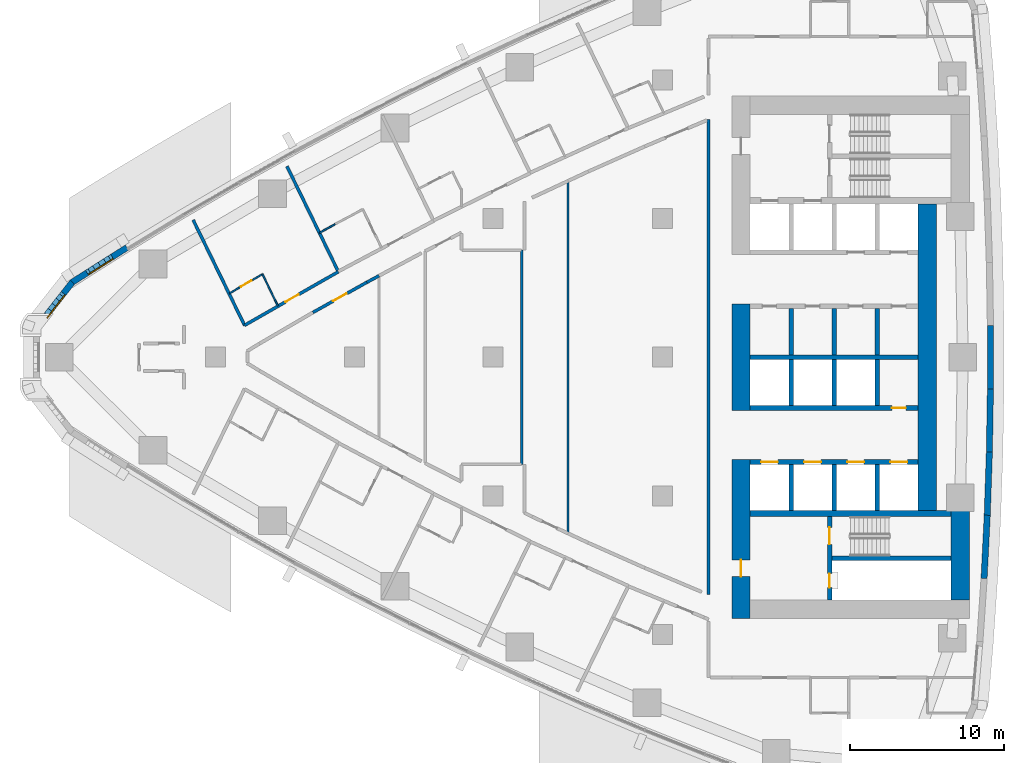
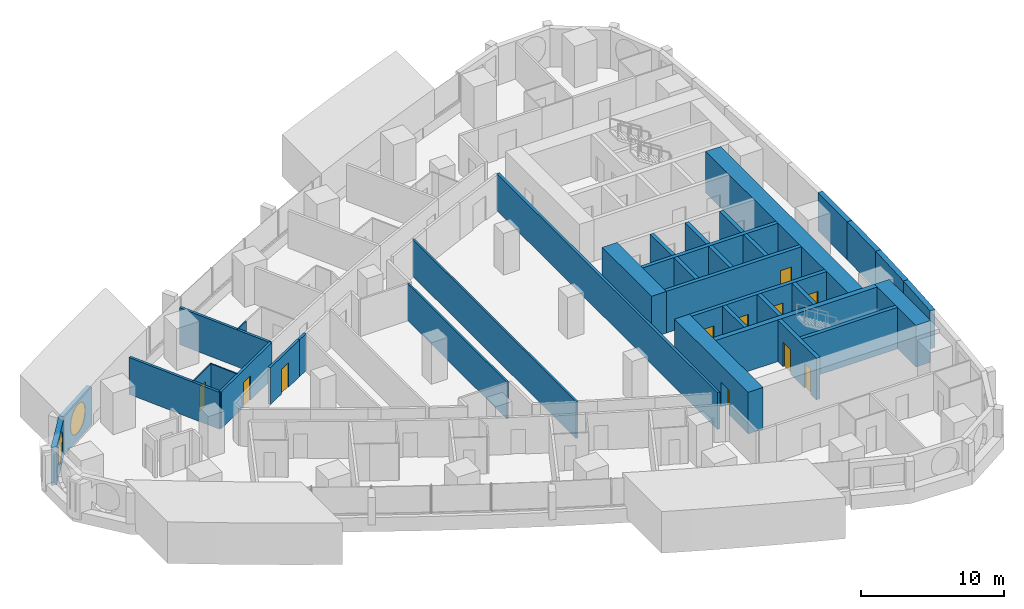
# One storey, part 11 of 19: 36 walls, 11 doors, 2 windows, 13 openings.
"""IFC4 building model written with IfcOpenShell, lengths in metres."""

from ifc_helpers import new_model, si_unit, direction, frame, frame_2d, origin, place, context, subcontext, project, spatial, polyline, rectangle, outline, extrude, material, layer, layer_set, type_object, element, fill, save


model = new_model("IFC4")

# Units and contexts
model_context = context("Model", 3, precision=1e-05, world=origin(), true_north=direction((0.0, 1.0)))
body_context = subcontext(model_context, "Body", "Model", "MODEL_VIEW")
ifc_project = project(units=[si_unit("LENGTHUNIT", "METRE"), si_unit("AREAUNIT", "SQUARE_METRE"), si_unit("VOLUMEUNIT", "CUBIC_METRE"), si_unit("PLANEANGLEUNIT", "RADIAN"), si_unit("MASSUNIT", "GRAM", prefix="KILO")], contexts=[model_context])

# Site, building, storey
site_placement = place(None, origin())
site = spatial("IfcSite", under=ifc_project, at=site_placement, CompositionType="ELEMENT")
building_placement = place(site_placement, origin())
building = spatial("IfcBuilding", under=site, at=building_placement, Name="Ostrand Prow Hotel Tower", CompositionType="ELEMENT")
storey_placement = place(building_placement, frame((0.0, 0.0, 71.550048828125)))
storey = spatial("IfcBuildingStorey", under=building, at=storey_placement, Name="L16", CompositionType="ELEMENT", Elevation=71.550048828125)

# Wall
ifc_material_1 = material(Name="Concrete C80/95", Category="concrete")
ifc_layer_1 = layer(ifc_material_1, 1.199951171875)
ifc_layer_set_1 = layer_set([ifc_layer_1], Name="Concrete C80/95")
wall_type_1 = type_object("IfcWallType", Name="Core wall 1200 C80/95", PredefinedType="SHEAR", material=ifc_layer_set_1)
wall_1_placement = place(storey_placement, frame((50.10009765625, -3.449951171875, 0.0), z_axis=(0.0, 0.0, 1.0), x_axis=(0.0, 1.0, 0.0)))
element("IfcWall", 1, at=wall_1_placement, inside=storey, type_object=wall_type_1, Name="Core wall CW-W-C", PredefinedType="SHEAR", context=body_context, shape_type="SweptSolid", body=[
    extrude(rectangle(XDim=6.89990234375, YDim=1.199951171875, at=frame_2d((3.449951171875, 0.0))), origin(), (0.0, 0.0, 1.0), 3.550048828125),
])

# Wall, opening, door
wall_2_placement = place(storey_placement, frame((50.10009765625, -16.949951171875, 0.0), z_axis=(0.0, 0.0, 1.0), x_axis=(0.0, 1.0, 0.0)))
wall_2 = element("IfcWall", 2, at=wall_2_placement, inside=storey, type_object=wall_type_1, Name="Core wall CW-W-S", PredefinedType="SHEAR", context=body_context, shape_type="SweptSolid", body=[
    extrude(rectangle(XDim=10.300048828125, YDim=1.199951171875, at=frame_2d((5.14990234375, 0.0))), origin(), (0.0, 0.0, 1.0), 3.550048828125),
])
opening_1_placement = place(wall_2_placement, frame((2.699951171875, 0.0, 0.0)))
opening_1 = element("IfcOpeningElement", 3, at=opening_1_placement, cuts=wall_2, Name="Opening FD1", PredefinedType="OPENING", context=body_context, shape_type="SweptSolid", body=[
    extrude(rectangle(XDim=1.10009765625, YDim=2.10009765625, at=frame_2d((0.550048828125, 1.050048828125))), frame((0.0, 0.60986328125, 0.0), z_axis=(0.0, -1.0, 0.0), x_axis=(1.0, 0.0, 0.0)), (0.0, 0.0, 1.0), 1.219970703125),
])
ifc_material_2 = material(Name="Steel fire door", Category="steel")
door_type_1 = type_object("IfcDoorType", Name="Fire door 1100 EI120", OperationType="SINGLE_SWING_RIGHT", PredefinedType="DOOR", material=ifc_material_2)
door_1_placement = place(opening_1_placement, origin())
door_1 = element("IfcDoor", 4, at=door_1_placement, inside=storey, type_object=door_type_1, Name="FIRE DOOR", OperationType="SINGLE_SWING_RIGHT", OverallHeight=2.10009765625, OverallWidth=1.10009765625, PredefinedType="DOOR", context=body_context, shape_type="SweptSolid", body=[
    extrude(rectangle(XDim=1.10009765625, YDim=2.10009765625, at=frame_2d((0.550048828125, 1.050048828125))), frame((0.0, 0.02490234375, 0.0), z_axis=(0.0, -1.0, 0.0), x_axis=(1.0, 0.0, 0.0)), (0.0, 0.0, 1.0), 0.050048828125),
])
fill(opening_1, door_1)

# Walls
wall_3_placement = place(storey_placement, frame((64.320068359375, -15.75, 0.0), z_axis=(0.0, 0.0, 1.0), x_axis=(0.0, 1.0, 0.0)))
element("IfcWall", 5, at=wall_3_placement, inside=storey, type_object=wall_type_1, Name="Core wall CW-E-S", PredefinedType="SHEAR", context=body_context, shape_type="SweptSolid", body=[
    extrude(rectangle(XDim=5.800048828125, YDim=1.199951171875, at=frame_2d((2.89990234375, 0.0))), origin(), (0.0, 0.0, 1.0), 3.550048828125),
])
wall_4_placement = place(storey_placement, frame((62.199951171875, -9.949951171875, 0.0), z_axis=(0.0, 0.0, 1.0), x_axis=(0.0, 1.0, 0.0)))
element("IfcWall", 6, at=wall_4_placement, inside=storey, type_object=wall_type_1, Name="Core wall CW-E-C", PredefinedType="SHEAR", context=body_context, shape_type="SweptSolid", body=[
    extrude(rectangle(XDim=19.89990234375, YDim=1.199951171875, at=frame_2d((9.949951171875, 0.0))), origin(), (0.0, 0.0, 1.0), 3.550048828125),
])
ifc_material_3 = material(Name="Concrete C80/95", Category="concrete")
ifc_layer_2 = layer(ifc_material_3, 0.300048828125)
ifc_layer_set_2 = layer_set([ifc_layer_2], Name="Concrete C80/95")
wall_type_2 = type_object("IfcWallType", Name="Core wall 300 C80/95", PredefinedType="SHEAR", material=ifc_layer_set_2)
wall_5_placement = place(storey_placement, frame((50.699951171875, 0.0, 0.0), z_axis=(0.0, 0.0, 1.0), x_axis=(1.0, 0.0, 0.0)))
element("IfcWall", 7, at=wall_5_placement, inside=storey, type_object=wall_type_2, Name="Core wall PW-C", PredefinedType="SHEAR", context=body_context, shape_type="SweptSolid", body=[
    extrude(rectangle(XDim=10.900146484375, YDim=0.300048828125, at=frame_2d((5.4501953125, 0.0))), origin(), (0.0, 0.0, 1.0), 3.550048828125),
])
for number, where, z_axis, x_axis, name in (
    (8, (53.35009765625, 0.14990234375, 0.0), (0.0, 0.0, 1.0), (0.0, 1.0, 0.0), "Core wall PW-R1-NB"),
    (9, (56.14990234375, 0.14990234375, 0.0), (0.0, 0.0, 1.0), (0.0, 1.0, 0.0), "Core wall PW-R2-NB"),
    (10, (58.949951171875, 0.14990234375, 0.0), (0.0, 0.0, 1.0), (0.0, 1.0, 0.0), "Core wall PW-R3-NB"),
):
    element("IfcWall", number, at=place(storey_placement, frame(where, z_axis=z_axis, x_axis=x_axis)), inside=storey, type_object=wall_type_2, Name=name, PredefinedType="SHEAR", context=body_context, shape_type="SweptSolid", body=[
        extrude(rectangle(XDim=3.0, YDim=0.300048828125, at=frame_2d((1.5, 0.0))), origin(), (0.0, 0.0, 1.0), 3.550048828125),
    ])

# Wall, opening, door
wall_6_placement = place(storey_placement, frame((50.699951171875, -3.300048828125, 0.0), z_axis=(0.0, 0.0, 1.0), x_axis=(1.0, 0.0, 0.0)))
wall_6 = element("IfcWall", 11, at=wall_6_placement, inside=storey, type_object=wall_type_2, Name="Core wall PW-L1-S", PredefinedType="SHEAR", context=body_context, shape_type="SweptSolid", body=[
    extrude(rectangle(XDim=10.900146484375, YDim=0.300048828125, at=frame_2d((5.4501953125, 0.0))), origin(), (0.0, 0.0, 1.0), 3.550048828125),
])
opening_2_placement = place(wall_6_placement, frame((9.199951171875, 0.0, 0.0)))
opening_2 = element("IfcOpeningElement", 12, at=opening_2_placement, cuts=wall_6, Name="Opening FD2", PredefinedType="OPENING", context=body_context, shape_type="SweptSolid", body=[
    extrude(rectangle(XDim=0.89990234375, YDim=2.10009765625, at=frame_2d((0.449951171875, 1.050048828125))), frame((0.0, 0.159912109375, 0.0), z_axis=(0.0, -1.0, 0.0), x_axis=(1.0, 0.0, 0.0)), (0.0, 0.0, 1.0), 0.320068359375),
])
ifc_material_4 = material(Name="Steel fire door", Category="steel")
door_type_2 = type_object("IfcDoorType", Name="Fire door 900 EI120", OperationType="SINGLE_SWING_LEFT", PredefinedType="DOOR", material=ifc_material_4)
door_2_placement = place(opening_2_placement, origin())
door_2 = element("IfcDoor", 13, at=door_2_placement, inside=storey, type_object=door_type_2, Name="DOOR", OperationType="SINGLE_SWING_LEFT", OverallHeight=2.10009765625, OverallWidth=0.89990234375, PredefinedType="DOOR", context=body_context, shape_type="SweptSolid", body=[
    extrude(rectangle(XDim=0.89990234375, YDim=2.10009765625, at=frame_2d((0.449951171875, 1.050048828125))), frame((0.0, 0.02490234375, 0.0), z_axis=(0.0, -1.0, 0.0), x_axis=(1.0, 0.0, 0.0)), (0.0, 0.0, 1.0), 0.050048828125),
])
fill(opening_2, door_2)

# Wall, openings, doors
wall_7_placement = place(storey_placement, frame((50.699951171875, -6.800048828125, 0.0), z_axis=(0.0, 0.0, 1.0), x_axis=(1.0, 0.0, 0.0)))
wall_7 = element("IfcWall", 14, at=wall_7_placement, inside=storey, type_object=wall_type_2, Name="Core wall PW-L2-S", PredefinedType="SHEAR", context=body_context, shape_type="SweptSolid", body=[
    extrude(rectangle(XDim=10.900146484375, YDim=0.300048828125, at=frame_2d((5.4501953125, 0.0))), origin(), (0.0, 0.0, 1.0), 3.550048828125),
])
opening_3_placement = place(wall_7_placement, frame((0.699951171875, 0.0, 0.0)))
opening_3 = element("IfcOpeningElement", 15, at=opening_3_placement, cuts=wall_7, Name="Opening LD", PredefinedType="OPENING", context=body_context, shape_type="SweptSolid", body=[
    extrude(rectangle(XDim=1.10009765625, YDim=2.10009765625, at=frame_2d((0.550048828125, 1.050048828125))), frame((0.0, 0.159912109375, 0.0), z_axis=(0.0, -1.0, 0.0), x_axis=(1.0, 0.0, 0.0)), (0.0, 0.0, 1.0), 0.320068359375),
])
opening_4_placement = place(wall_7_placement, frame((3.5, 0.0, 0.0)))
opening_4 = element("IfcOpeningElement", 16, at=opening_4_placement, cuts=wall_7, Name="Opening LD", PredefinedType="OPENING", context=body_context, shape_type="SweptSolid", body=[
    extrude(rectangle(XDim=1.10009765625, YDim=2.10009765625, at=frame_2d((0.550048828125, 1.050048828125))), frame((0.0, 0.159912109375, 0.0), z_axis=(0.0, -1.0, 0.0), x_axis=(1.0, 0.0, 0.0)), (0.0, 0.0, 1.0), 0.320068359375),
])
opening_5_placement = place(wall_7_placement, frame((6.300048828125, 0.0, 0.0)))
opening_5 = element("IfcOpeningElement", 17, at=opening_5_placement, cuts=wall_7, Name="Opening LD", PredefinedType="OPENING", context=body_context, shape_type="SweptSolid", body=[
    extrude(rectangle(XDim=1.10009765625, YDim=2.10009765625, at=frame_2d((0.550048828125, 1.050048828125))), frame((0.0, 0.159912109375, 0.0), z_axis=(0.0, -1.0, 0.0), x_axis=(1.0, 0.0, 0.0)), (0.0, 0.0, 1.0), 0.320068359375),
])
opening_6_placement = place(wall_7_placement, frame((9.10009765625, 0.0, 0.0)))
opening_6 = element("IfcOpeningElement", 18, at=opening_6_placement, cuts=wall_7, Name="Opening LD", PredefinedType="OPENING", context=body_context, shape_type="SweptSolid", body=[
    extrude(rectangle(XDim=1.10009765625, YDim=2.10009765625, at=frame_2d((0.550048828125, 1.050048828125))), frame((0.0, 0.159912109375, 0.0), z_axis=(0.0, -1.0, 0.0), x_axis=(1.0, 0.0, 0.0)), (0.0, 0.0, 1.0), 0.320068359375),
])
ifc_material_5 = material(Name="Stainless steel door", Category="steel")
door_type_3 = type_object("IfcDoorType", Name="Lift landing door 1100", OperationType="DOUBLE_DOOR_SLIDING", PredefinedType="DOOR", material=ifc_material_5)
door_3_placement = place(opening_3_placement, origin())
door_3 = element("IfcDoor", 19, at=door_3_placement, inside=storey, type_object=door_type_3, Name="LIFT LANDING DOOR", OperationType="DOUBLE_DOOR_SLIDING", OverallHeight=2.10009765625, OverallWidth=1.10009765625, PredefinedType="DOOR", context=body_context, shape_type="SweptSolid", body=[
    extrude(rectangle(XDim=1.10009765625, YDim=2.10009765625, at=frame_2d((0.550048828125, 1.050048828125))), frame((0.0, 0.02490234375, 0.0), z_axis=(0.0, -1.0, 0.0), x_axis=(1.0, 0.0, 0.0)), (0.0, 0.0, 1.0), 0.050048828125),
])
fill(opening_3, door_3)
door_4_placement = place(opening_4_placement, origin())
door_4 = element("IfcDoor", 20, at=door_4_placement, inside=storey, type_object=door_type_3, Name="LIFT LANDING DOOR", OperationType="DOUBLE_DOOR_SLIDING", OverallHeight=2.10009765625, OverallWidth=1.10009765625, PredefinedType="DOOR", context=body_context, shape_type="SweptSolid", body=[
    extrude(rectangle(XDim=1.10009765625, YDim=2.10009765625, at=frame_2d((0.550048828125, 1.050048828125))), frame((0.0, 0.02490234375, 0.0), z_axis=(0.0, -1.0, 0.0), x_axis=(1.0, 0.0, 0.0)), (0.0, 0.0, 1.0), 0.050048828125),
])
fill(opening_4, door_4)
door_5_placement = place(opening_5_placement, origin())
door_5 = element("IfcDoor", 21, at=door_5_placement, inside=storey, type_object=door_type_3, Name="LIFT LANDING DOOR", OperationType="DOUBLE_DOOR_SLIDING", OverallHeight=2.10009765625, OverallWidth=1.10009765625, PredefinedType="DOOR", context=body_context, shape_type="SweptSolid", body=[
    extrude(rectangle(XDim=1.10009765625, YDim=2.10009765625, at=frame_2d((0.550048828125, 1.050048828125))), frame((0.0, 0.02490234375, 0.0), z_axis=(0.0, -1.0, 0.0), x_axis=(1.0, 0.0, 0.0)), (0.0, 0.0, 1.0), 0.050048828125),
])
fill(opening_5, door_5)
door_6_placement = place(opening_6_placement, origin())
door_6 = element("IfcDoor", 22, at=door_6_placement, inside=storey, type_object=door_type_3, Name="LIFT LANDING DOOR", OperationType="DOUBLE_DOOR_SLIDING", OverallHeight=2.10009765625, OverallWidth=1.10009765625, PredefinedType="DOOR", context=body_context, shape_type="SweptSolid", body=[
    extrude(rectangle(XDim=1.10009765625, YDim=2.10009765625, at=frame_2d((0.550048828125, 1.050048828125))), frame((0.0, 0.02490234375, 0.0), z_axis=(0.0, -1.0, 0.0), x_axis=(1.0, 0.0, 0.0)), (0.0, 0.0, 1.0), 0.050048828125),
])
fill(opening_6, door_6)

# Walls
for number, where, z_axis, x_axis, name in (
    (23, (53.35009765625, -3.14990234375, 0.0), (0.0, 0.0, 1.0), (0.0, 1.0, 0.0), "Core wall PW-R1-SB"),
    (24, (53.35009765625, -9.949951171875, 0.0), (0.0, 0.0, 1.0), (0.0, 1.0, 0.0), "Core wall PW-R1-SA"),
    (25, (56.14990234375, -3.14990234375, 0.0), (0.0, 0.0, 1.0), (0.0, 1.0, 0.0), "Core wall PW-R2-SB"),
    (26, (56.14990234375, -9.949951171875, 0.0), (0.0, 0.0, 1.0), (0.0, 1.0, 0.0), "Core wall PW-R2-SA"),
    (27, (58.949951171875, -3.14990234375, 0.0), (0.0, 0.0, 1.0), (0.0, 1.0, 0.0), "Core wall PW-R3-SB"),
    (28, (58.949951171875, -9.949951171875, 0.0), (0.0, 0.0, 1.0), (0.0, 1.0, 0.0), "Core wall PW-R3-SA"),
):
    element("IfcWall", number, at=place(storey_placement, frame(where, z_axis=z_axis, x_axis=x_axis)), inside=storey, type_object=wall_type_2, Name=name, PredefinedType="SHEAR", context=body_context, shape_type="SweptSolid", body=[
        extrude(rectangle(XDim=3.0, YDim=0.300048828125, at=frame_2d((1.5, 0.0))), origin(), (0.0, 0.0, 1.0), 3.550048828125),
    ])

# Wall, openings, doors
wall_8_placement = place(storey_placement, frame((55.85009765625, -15.75, 0.0), z_axis=(0.0, 0.0, 1.0), x_axis=(0.0, 1.0, 0.0)))
wall_8 = element("IfcWall", 29, at=wall_8_placement, inside=storey, type_object=wall_type_2, Name="Core wall PW-VS", PredefinedType="SHEAR", context=body_context, shape_type="SweptSolid", body=[
    extrude(rectangle(XDim=5.39990234375, YDim=0.300048828125, at=frame_2d((2.699951171875, 0.0))), origin(), (0.0, 0.0, 1.0), 3.550048828125),
])
opening_7_placement = place(wall_8_placement, frame((3.60009765625, 0.0, 0.0)))
opening_7 = element("IfcOpeningElement", 30, at=opening_7_placement, cuts=wall_8, Name="Opening FD1", PredefinedType="OPENING", context=body_context, shape_type="SweptSolid", body=[
    extrude(rectangle(XDim=1.10009765625, YDim=2.10009765625, at=frame_2d((0.550048828125, 1.050048828125))), frame((0.0, 0.159912109375, 0.0), z_axis=(0.0, -1.0, 0.0), x_axis=(1.0, 0.0, 0.0)), (0.0, 0.0, 1.0), 0.320068359375),
])
opening_8_placement = place(wall_8_placement, frame((0.800048828125, 0.0, 0.0)))
opening_8 = element("IfcOpeningElement", 31, at=opening_8_placement, cuts=wall_8, Name="Opening FD2", PredefinedType="OPENING", context=body_context, shape_type="SweptSolid", body=[
    extrude(rectangle(XDim=0.89990234375, YDim=2.10009765625, at=frame_2d((0.449951171875, 1.050048828125))), frame((0.0, 0.159912109375, 0.0), z_axis=(0.0, -1.0, 0.0), x_axis=(1.0, 0.0, 0.0)), (0.0, 0.0, 1.0), 0.320068359375),
])
door_7_placement = place(opening_7_placement, origin())
door_7 = element("IfcDoor", 32, at=door_7_placement, inside=storey, type_object=door_type_1, Name="FIRE DOOR", OperationType="SINGLE_SWING_RIGHT", OverallHeight=2.10009765625, OverallWidth=1.10009765625, PredefinedType="DOOR", context=body_context, shape_type="SweptSolid", body=[
    extrude(rectangle(XDim=1.10009765625, YDim=2.10009765625, at=frame_2d((0.550048828125, 1.050048828125))), frame((0.0, 0.02490234375, 0.0), z_axis=(0.0, -1.0, 0.0), x_axis=(1.0, 0.0, 0.0)), (0.0, 0.0, 1.0), 0.050048828125),
])
fill(opening_7, door_7)
door_8_placement = place(opening_8_placement, origin())
door_8 = element("IfcDoor", 33, at=door_8_placement, inside=storey, type_object=door_type_2, Name="FIRE DOOR", OperationType="SINGLE_SWING_LEFT", OverallHeight=2.10009765625, OverallWidth=0.89990234375, PredefinedType="DOOR", context=body_context, shape_type="SweptSolid", body=[
    extrude(rectangle(XDim=0.89990234375, YDim=2.10009765625, at=frame_2d((0.449951171875, 1.050048828125))), frame((0.0, 0.02490234375, 0.0), z_axis=(0.0, -1.0, 0.0), x_axis=(1.0, 0.0, 0.0)), (0.0, 0.0, 1.0), 0.050048828125),
])
fill(opening_8, door_8)

# Walls
wall_9_placement = place(storey_placement, frame((56.0, -13.050048828125, 0.0), z_axis=(0.0, 0.0, 1.0), x_axis=(1.0, 0.0, 0.0)))
element("IfcWall", 34, at=wall_9_placement, inside=storey, type_object=wall_type_2, Name="Core wall PW-ST2R", PredefinedType="SHEAR", context=body_context, shape_type="SweptSolid", body=[
    extrude(rectangle(XDim=7.719970703125, YDim=0.300048828125, at=frame_2d((3.85986328125, 0.0))), origin(), (0.0, 0.0, 1.0), 3.550048828125),
])
ifc_material_6 = material(Name="Concrete C80/95", Category="concrete")
ifc_layer_3 = layer(ifc_material_6, 0.39990234375)
ifc_layer_set_3 = layer_set([ifc_layer_3], Name="Concrete C80/95")
wall_type_3 = type_object("IfcWallType", Name="Core wall 400 C80/95", PredefinedType="SHEAR", material=ifc_layer_set_3)
wall_10_placement = place(storey_placement, frame((50.699951171875, -10.14990234375, 0.0), z_axis=(0.0, 0.0, 1.0), x_axis=(1.0, 0.0, 0.0)))
element("IfcWall", 35, at=wall_10_placement, inside=storey, type_object=wall_type_3, Name="Core wall PW-BS", PredefinedType="SHEAR", context=body_context, shape_type="SweptSolid", body=[
    extrude(rectangle(XDim=13.02001953125, YDim=0.39990234375, at=frame_2d((6.510009765625, 0.0))), origin(), (0.0, 0.0, 1.0), 3.550048828125),
])

# Wall, opening, door
ifc_material_7 = material(Name="Plasterboard partition")
ifc_layer_4 = layer(ifc_material_7, 0.10009765625)
ifc_layer_set_4 = layer_set([ifc_layer_4], Name="Plasterboard partition")
wall_type_4 = type_object("IfcWallType", Name="Partition 100 bathroom wall", PredefinedType="PARTITIONING", material=ifc_layer_set_4)
wall_11_placement = place(storey_placement, frame((16.898193359375, 4.1435546875, 0.0), z_axis=(0.0, 0.0, 1.0), x_axis=(0.863707305865, 0.503993739837, 0.0)))
wall_11 = element("IfcWall", 36, at=wall_11_placement, inside=storey, type_object=wall_type_4, Name="BATHROOM WALL", PredefinedType="PARTITIONING", context=body_context, shape_type="SweptSolid", body=[
    extrude(rectangle(XDim=2.473876953125, YDim=0.10009765625, at=frame_2d((1.23681640625, 0.0))), origin(), (0.0, 0.0, 1.0), 3.14990234375),
])
opening_9_placement = place(wall_11_placement, frame((0.85009765625, 0.0, 0.0)))
opening_9 = element("IfcOpeningElement", 37, at=opening_9_placement, cuts=wall_11, Name="Opening D2", PredefinedType="OPENING", context=body_context, shape_type="SweptSolid", body=[
    extrude(rectangle(XDim=0.800048828125, YDim=2.10009765625, at=frame_2d((0.39990234375, 1.050048828125))), frame((0.0, 0.06005859375, 0.0), z_axis=(0.0, -1.0, 0.0), x_axis=(1.0, 0.0, 0.0)), (0.0, 0.0, 1.0), 0.1201171875),
])
ifc_material_8 = material(Name="Timber door leaf", Category="wood")
door_type_4 = type_object("IfcDoorType", Name="Bathroom door 800", OperationType="SINGLE_SWING_LEFT", PredefinedType="DOOR", material=ifc_material_8)
door_9_placement = place(opening_9_placement, origin())
door_9 = element("IfcDoor", 38, at=door_9_placement, inside=storey, type_object=door_type_4, Name="DOOR", OperationType="SINGLE_SWING_LEFT", OverallHeight=2.10009765625, OverallWidth=0.800048828125, PredefinedType="DOOR", context=body_context, shape_type="SweptSolid", body=[
    extrude(rectangle(XDim=0.800048828125, YDim=2.10009765625, at=frame_2d((0.39990234375, 1.050048828125))), frame((0.0, 0.02490234375, 0.0), z_axis=(0.0, -1.0, 0.0), x_axis=(1.0, 0.0, 0.0)), (0.0, 0.0, 1.0), 0.050048828125),
])
fill(opening_9, door_9)

# Walls
wall_12_placement = place(storey_placement, frame((19.03515625, 5.390380859375, 0.0), z_axis=(0.0, 0.0, 1.0), x_axis=(0.438122322582, -0.898915363344, 0.0)))
element("IfcWall", 39, at=wall_12_placement, inside=storey, type_object=wall_type_4, Name="BATHROOM WALL", PredefinedType="PARTITIONING", context=body_context, shape_type="SweptSolid", body=[
    extrude(rectangle(XDim=2.282958984375, YDim=0.10009765625, at=frame_2d((1.1416015625, 0.0))), origin(), (0.0, 0.0, 1.0), 3.14990234375),
])
wall_13_placement = place(storey_placement, frame((22.736572265625, 8.067138671875, 0.0), z_axis=(0.0, 0.0, 1.0), x_axis=(0.872799020153, 0.488079778745, 0.0)))
element("IfcWall", 40, at=wall_13_placement, inside=storey, type_object=wall_type_4, Name="BATHROOM WALL", PredefinedType="PARTITIONING", context=body_context, shape_type="SweptSolid", body=[
    extrude(rectangle(XDim=1.16455078125, YDim=0.10009765625, at=frame_2d((0.582275390625, 0.0))), origin(), (0.0, 0.0, 1.0), 3.14990234375),
])
ifc_material_9 = material(Name="Plasterboard partition")
ifc_layer_5 = layer(ifc_material_9, 0.14990234375)
ifc_layer_set_5 = layer_set([ifc_layer_5], Name="Plasterboard partition")
wall_type_5 = type_object("IfcWallType", Name="Partition 150 room partition", PredefinedType="PARTITIONING", material=ifc_layer_set_5)
wall_14_placement = place(storey_placement, frame((35.876220703125, -6.949951171875, 0.0), z_axis=(0.0, 0.0, 1.0), x_axis=(0.0, 1.0, 0.0)))
element("IfcWall", 41, at=wall_14_placement, inside=storey, type_object=wall_type_5, Name="ROOM PARTITION", PredefinedType="PARTITIONING", context=body_context, shape_type="SweptSolid", body=[
    extrude(rectangle(XDim=13.89990234375, YDim=0.14990234375, at=frame_2d((6.949951171875, 0.0))), origin(), (0.0, 0.0, 1.0), 3.14990234375),
])
wall_15_placement = place(storey_placement, frame((38.876220703125, -11.440185546875, 0.0), z_axis=(0.0, 0.0, 1.0), x_axis=(0.0, 1.0, 0.0)))
element("IfcWall", 42, at=wall_15_placement, inside=storey, type_object=wall_type_5, Name="ROOM PARTITION", PredefinedType="PARTITIONING", context=body_context, shape_type="SweptSolid", body=[
    extrude(rectangle(XDim=22.88037109375, YDim=0.14990234375, at=frame_2d((11.440185546875, 0.0))), origin(), (0.0, 0.0, 1.0), 3.14990234375),
])

# Wall, opening, door
ifc_material_10 = material(Name="Plasterboard partition")
ifc_layer_6 = layer(ifc_material_10, 0.199951171875)
ifc_layer_set_6 = layer_set([ifc_layer_6], Name="Plasterboard partition")
wall_type_6 = type_object("IfcWallType", Name="Partition 200 corridor wall", PredefinedType="PARTITIONING", material=ifc_layer_set_6)
wall_16_placement = place(storey_placement, frame((17.87353515625, 2.068115234375, 0.0), z_axis=(0.0, 0.0, 1.0), x_axis=(0.868427275315, 0.495816566373, 0.0)))
wall_16 = element("IfcWall", 43, at=wall_16_placement, inside=storey, type_object=wall_type_6, Name="CORRIDOR WALL", PredefinedType="PARTITIONING", context=body_context, shape_type="SweptSolid", body=[
    extrude(rectangle(XDim=7.0146484375, YDim=0.199951171875, at=frame_2d((3.50732421875, 0.0))), origin(), (0.0, 0.0, 1.0), 3.14990234375),
])
opening_10_placement = place(wall_16_placement, frame((3.050048828125, 0.0, 0.0)))
opening_10 = element("IfcOpeningElement", 44, at=opening_10_placement, cuts=wall_16, Name="Opening D1", PredefinedType="OPENING", context=body_context, shape_type="SweptSolid", body=[
    extrude(rectangle(XDim=1.0, YDim=2.10009765625, at=frame_2d((0.5, 1.050048828125))), frame((0.0, 0.10986328125, 0.0), z_axis=(0.0, -1.0, 0.0), x_axis=(1.0, 0.0, 0.0)), (0.0, 0.0, 1.0), 0.219970703125),
])
ifc_material_11 = material(Name="Timber door leaf", Category="wood")
door_type_5 = type_object("IfcDoorType", Name="Guest room door 1000", OperationType="SINGLE_SWING_LEFT", PredefinedType="DOOR", material=ifc_material_11)
door_10_placement = place(opening_10_placement, origin())
door_10 = element("IfcDoor", 45, at=door_10_placement, inside=storey, type_object=door_type_5, Name="DOOR", OperationType="SINGLE_SWING_LEFT", OverallHeight=2.10009765625, OverallWidth=1.0, PredefinedType="DOOR", context=body_context, shape_type="SweptSolid", body=[
    extrude(rectangle(XDim=1.0, YDim=2.10009765625, at=frame_2d((0.5, 1.050048828125))), frame((0.0, 0.02490234375, 0.0), z_axis=(0.0, -1.0, 0.0), x_axis=(1.0, 0.0, 0.0)), (0.0, 0.0, 1.0), 0.050048828125),
])
fill(opening_10, door_10)

wall_17_placement = place(storey_placement, frame((22.31201171875, 2.903076171875, 0.0), z_axis=(0.0, 0.0, 1.0), x_axis=(0.872800289292, 0.488077509225, 0.0)))
wall_17 = element("IfcWall", 46, at=wall_17_placement, inside=storey, type_object=wall_type_6, Name="CORRIDOR WALL", PredefinedType="PARTITIONING", context=body_context, shape_type="SweptSolid", body=[
    extrude(rectangle(XDim=4.015625, YDim=0.199951171875, at=frame_2d((2.0078125, 0.0))), origin(), (0.0, 0.0, 1.0), 3.14990234375),
])
opening_11_placement = place(wall_17_placement, frame((1.5078125, 0.0, 0.0)))
opening_11 = element("IfcOpeningElement", 47, at=opening_11_placement, cuts=wall_17, Name="Opening D1", PredefinedType="OPENING", context=body_context, shape_type="SweptSolid", body=[
    extrude(rectangle(XDim=1.0, YDim=2.10009765625, at=frame_2d((0.5, 1.050048828125))), frame((0.0, 0.10986328125, 0.0), z_axis=(0.0, -1.0, 0.0), x_axis=(1.0, 0.0, 0.0)), (0.0, 0.0, 1.0), 0.219970703125),
])
door_11_placement = place(opening_11_placement, origin())
door_11 = element("IfcDoor", 48, at=door_11_placement, inside=storey, type_object=door_type_5, Name="DOOR", OperationType="SINGLE_SWING_LEFT", OverallHeight=2.10009765625, OverallWidth=1.0, PredefinedType="DOOR", context=body_context, shape_type="SweptSolid", body=[
    extrude(rectangle(XDim=1.0, YDim=2.10009765625, at=frame_2d((0.5, 1.050048828125))), frame((0.0, 0.02490234375, 0.0), z_axis=(0.0, -1.0, 0.0), x_axis=(1.0, 0.0, 0.0)), (0.0, 0.0, 1.0), 0.050048828125),
])
fill(opening_11, door_11)

# Walls
wall_18_placement = place(storey_placement, frame((25.81689453125, 4.863037109375, 0.0), z_axis=(0.0, 0.0, 1.0), x_axis=(0.881715816073, 0.471780902207, 0.0)))
element("IfcWall", 49, at=wall_18_placement, inside=storey, type_object=wall_type_6, Name="CORRIDOR WALL", PredefinedType="PARTITIONING", context=body_context, shape_type="SweptSolid", body=[
    extrude(rectangle(XDim=0.89208984375, YDim=0.199951171875, at=frame_2d((0.446044921875, 0.0))), origin(), (0.0, 0.0, 1.0), 3.14990234375),
])
wall_19_placement = place(storey_placement, frame((48.0, 15.4140625, 0.0), z_axis=(0.0, 0.0, 1.0), x_axis=(0.0, -1.0, 0.0)))
element("IfcWall", 50, at=wall_19_placement, inside=storey, type_object=wall_type_6, Name="CORRIDOR WALL", PredefinedType="PARTITIONING", context=body_context, shape_type="SweptSolid", body=[
    extrude(rectangle(XDim=30.828125, YDim=0.199951171875, at=frame_2d((15.4140625, 0.0))), origin(), (0.0, 0.0, 1.0), 3.14990234375),
])
ifc_material_12 = material(Name="Plasterboard partition")
ifc_layer_7 = layer(ifc_material_12, 0.199951171875)
ifc_layer_set_7 = layer_set([ifc_layer_7], Name="Plasterboard partition")
wall_type_7 = type_object("IfcWallType", Name="Partition 200 key partition", PredefinedType="PARTITIONING", material=ifc_layer_set_7)
wall_20_placement = place(storey_placement, frame((17.88232421875, 2.050048828125, 0.0), z_axis=(0.0, 0.0, 1.0), x_axis=(-0.438213564788, 0.898870887078, 0.0)))
element("IfcWall", 51, at=wall_20_placement, inside=storey, type_object=wall_type_7, Name="KEY PARTITION", PredefinedType="PARTITIONING", context=body_context, shape_type="SweptSolid", body=[
    extrude(rectangle(XDim=7.62548828125, YDim=0.199951171875, at=frame_2d((3.812744140625, 0.0))), origin(), (0.0, 0.0, 1.0), 3.14990234375),
])
wall_21_placement = place(storey_placement, frame((23.96533203125, 5.546142578125, 0.0), z_axis=(0.0, 0.0, 1.0), x_axis=(-0.438184754816, 0.898884931816, 0.0)))
element("IfcWall", 52, at=wall_21_placement, inside=storey, type_object=wall_type_7, Name="KEY PARTITION", PredefinedType="PARTITIONING", context=body_context, shape_type="SweptSolid", body=[
    extrude(rectangle(XDim=7.612060546875, YDim=0.199951171875, at=frame_2d((3.80615234375, 0.0))), origin(), (0.0, 0.0, 1.0), 3.14990234375),
])

# Wall, opening, window
ifc_material_13 = material(Name="Precast concrete C40/50", Category="concrete")
ifc_layer_8 = layer(ifc_material_13, 0.39990234375)
ifc_layer_set_8 = layer_set([ifc_layer_8], Name="Precast concrete C40/50")
wall_type_8 = type_object("IfcWallType", Name="Stone-faced precast wall 400 mm", PredefinedType="NOTDEFINED", material=ifc_layer_set_8)
wall_22_placement = place(storey_placement, frame((10.24169921875, 7.116455078125, 0.0), z_axis=(0.0, 0.0, 1.0), x_axis=(-0.844551578623, -0.535474211372, 0.0)))
wall_22 = element("IfcWall", 53, at=wall_22_placement, inside=storey, type_object=wall_type_8, Name="Stone-faced wall prow 1", PredefinedType="NOTDEFINED", context=body_context, shape_type="SweptSolid", body=[
    extrude(outline(polyline([(0.0, -0.199951171875), (4.23046875, -0.199951171875), (4.16162109375, 0.199951171875), (0.0, 0.199951171875), (0.0, -0.199951171875)])), origin(), (0.0, 0.0, 1.0), 3.25),
])
opening_12_placement = place(wall_22_placement, frame((0.998046875, 0.0, 0.60009765625)))
opening_12 = element("IfcOpeningElement", 54, at=opening_12_placement, cuts=wall_22, Name="Opening WP1", PredefinedType="OPENING", context=body_context, shape_type="SweptSolid", body=[
    extrude(outline(polyline([(0.0, 1.35009765625), (0.083740234375, 1.77099609375), (0.322265625, 2.127685546875), (0.678955078125, 2.3662109375), (1.10009765625, 2.449951171875), (1.52099609375, 2.3662109375), (1.877685546875, 2.127685546875), (2.1162109375, 1.77099609375), (2.199951171875, 1.35009765625), (2.199951171875, 1.10009765625), (2.1162109375, 0.678955078125), (1.877685546875, 0.322265625), (1.52099609375, 0.083740234375), (1.10009765625, 0.0), (0.678955078125, 0.083740234375), (0.322265625, 0.322265625), (0.083740234375, 0.678955078125), (0.0, 1.099853515625), (0.0, 1.35009765625)])), frame((0.0, 0.2099609375, 0.0), z_axis=(0.0, -1.0, 0.0), x_axis=(1.0, 0.0, 0.0)), (0.0, 0.0, 1.0), 0.419921875),
])
ifc_material_14 = material(Name="Insulated glass in bronze frame", Category="glass")
window_type = type_object("IfcWindowType", Name="Round-ended prow window 2200x2450", PartitioningType="SINGLE_PANEL", PredefinedType="WINDOW", material=ifc_material_14)
window_1_placement = place(opening_12_placement, origin())
window_1 = element("IfcWindow", 55, at=window_1_placement, inside=storey, type_object=window_type, Name="Window prow 1.1", OverallHeight=2.449951171875, OverallWidth=2.199951171875, PartitioningType="SINGLE_PANEL", PredefinedType="WINDOW", context=body_context, shape_type="SweptSolid", body=[
    extrude(outline(polyline([(0.0, 1.35009765625), (0.083740234375, 1.77099609375), (0.322265625, 2.127685546875), (0.678955078125, 2.3662109375), (1.10009765625, 2.449951171875), (1.52099609375, 2.3662109375), (1.877685546875, 2.127685546875), (2.1162109375, 1.77099609375), (2.199951171875, 1.35009765625), (2.199951171875, 1.10009765625), (2.1162109375, 0.678955078125), (1.877685546875, 0.322265625), (1.52099609375, 0.083740234375), (1.10009765625, 0.0), (0.678955078125, 0.083740234375), (0.322265625, 0.322265625), (0.083740234375, 0.678955078125), (0.0, 1.099853515625), (0.0, 1.35009765625)])), frame((0.0, 0.169921875, 0.0), z_axis=(0.0, -1.0, 0.0), x_axis=(1.0, 0.0, 0.0)), (0.0, 0.0, 1.0), 0.06005859375),
])
fill(opening_12, window_1)

wall_23_placement = place(storey_placement, frame((6.697998046875, 4.86962890625, 0.0), z_axis=(0.0, 0.0, 1.0), x_axis=(-0.616586647779, -0.787287054245, 0.0)))
wall_23 = element("IfcWall", 56, at=wall_23_placement, inside=storey, type_object=wall_type_8, Name="Stone-faced wall prow 2", PredefinedType="NOTDEFINED", context=body_context, shape_type="SweptSolid", body=[
    extrude(outline(polyline([(-0.034423828125, -0.199951171875), (3.85205078125, -0.199951171875), (3.7138671875, 0.199951171875), (0.034423828125, 0.199951171875), (-0.034423828125, -0.199951171875)])), origin(), (0.0, 0.0, 1.0), 3.25),
])
opening_13_placement = place(wall_23_placement, frame((0.79150390625, 0.0, 0.60009765625)))
opening_13 = element("IfcOpeningElement", 57, at=opening_13_placement, cuts=wall_23, Name="Opening WP1", PredefinedType="OPENING", context=body_context, shape_type="SweptSolid", body=[
    extrude(outline(polyline([(0.0, 1.35009765625), (0.083740234375, 1.77099609375), (0.322265625, 2.127685546875), (0.678955078125, 2.3662109375), (1.10009765625, 2.449951171875), (1.52099609375, 2.3662109375), (1.877685546875, 2.127685546875), (2.1162109375, 1.77099609375), (2.199951171875, 1.35009765625), (2.199951171875, 1.10009765625), (2.1162109375, 0.678955078125), (1.877685546875, 0.322265625), (1.52099609375, 0.083740234375), (1.10009765625, 0.0), (0.678955078125, 0.083740234375), (0.322265625, 0.322265625), (0.083740234375, 0.678955078125), (0.0, 1.099853515625), (0.0, 1.35009765625)])), frame((0.0, 0.2099609375, 0.0), z_axis=(0.0, -1.0, 0.0), x_axis=(1.0, 0.0, 0.0)), (0.0, 0.0, 1.0), 0.419921875),
])
window_2_placement = place(opening_13_placement, origin())
window_2 = element("IfcWindow", 58, at=window_2_placement, inside=storey, type_object=window_type, Name="Window prow 2.1", OverallHeight=2.449951171875, OverallWidth=2.199951171875, PartitioningType="SINGLE_PANEL", PredefinedType="WINDOW", context=body_context, shape_type="SweptSolid", body=[
    extrude(outline(polyline([(0.0, 1.35009765625), (0.083740234375, 1.77099609375), (0.322265625, 2.127685546875), (0.678955078125, 2.3662109375), (1.10009765625, 2.449951171875), (1.52099609375, 2.3662109375), (1.877685546875, 2.127685546875), (2.1162109375, 1.77099609375), (2.199951171875, 1.35009765625), (2.199951171875, 1.10009765625), (2.1162109375, 0.678955078125), (1.877685546875, 0.322265625), (1.52099609375, 0.083740234375), (1.10009765625, 0.0), (0.678955078125, 0.083740234375), (0.322265625, 0.322265625), (0.083740234375, 0.678955078125), (0.0, 1.099853515625), (0.0, 1.35009765625)])), frame((0.0, 0.169921875, 0.0), z_axis=(0.0, -1.0, 0.0), x_axis=(1.0, 0.0, 0.0)), (0.0, 0.0, 1.0), 0.06005859375),
])
fill(opening_13, window_2)

# Walls
for number, where, z_axis, x_axis, name in (
    (59, (65.878173828125, -14.359619140625, 0.0), (0.0, 0.0, 1.0), (0.050314326423, 0.998733432181, 0.0), "Stone-faced wall back 7"),
    (60, (66.084716796875, -10.259765625, 0.0), (0.0, 0.0, 1.0), (0.033542554696, 0.999437290191, 0.0), "Stone-faced wall back 8"),
    (61, (66.222412109375, -6.156982421875, 0.0), (0.0, 0.0, 1.0), (0.016830829972, 0.999858351549, 0.0), "Stone-faced wall back 9"),
    (62, (66.29150390625, -2.052490234375, 0.0), (0.0, 0.0, 1.0), (0.0, 1.0, 0.0), "Stone-faced wall back 10"),
):
    element("IfcWall", number, at=place(storey_placement, frame(where, z_axis=z_axis, x_axis=x_axis)), inside=storey, type_object=wall_type_8, Name=name, PredefinedType="NOTDEFINED", context=body_context, shape_type="SweptSolid", body=[
        extrude(outline(polyline([(-0.001708984375, -0.199951171875), (4.106689453125, -0.199951171875), (4.103271484375, 0.199951171875), (0.001708984375, 0.199951171875), (-0.001708984375, -0.199951171875)])), origin(), (0.0, 0.0, 1.0), 3.25),
    ])

save(model, "model.ifc")
